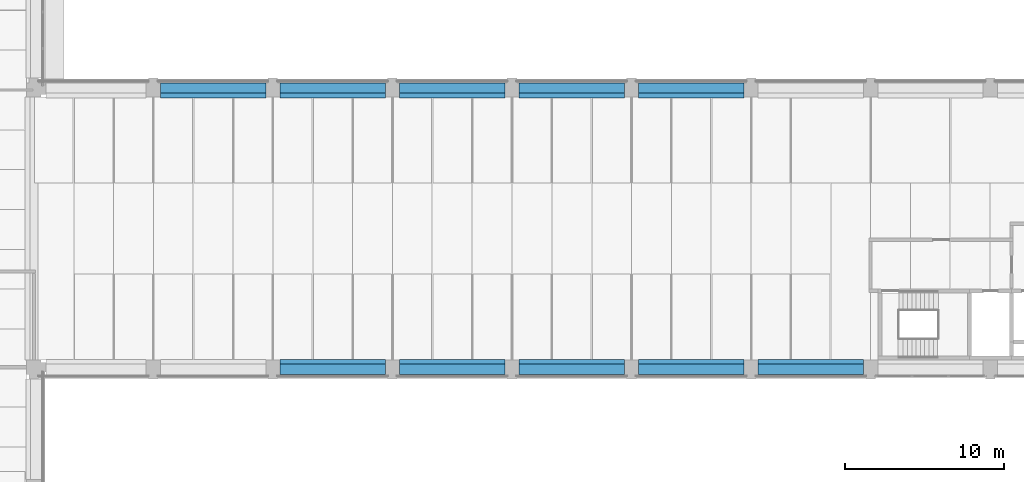
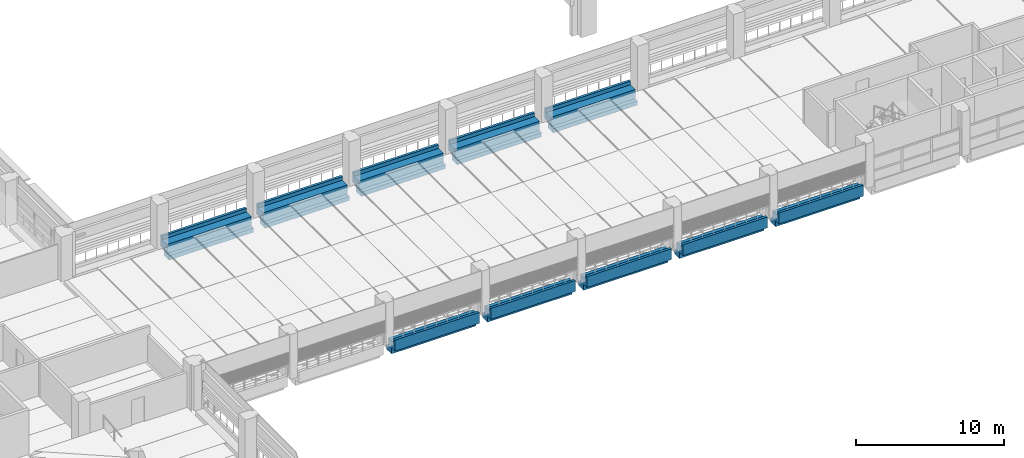
# One storey, part 6 of 57: 10 beams.
"""IFC4 building model written with IfcOpenShell, lengths in metres."""

from ifc_helpers import new_model, si_unit, direction, frame, origin, place, context, subcontext, project, spatial, polyline, outline, extrude, material, material_profile, profile_set, type_object, element, save


model = new_model("IFC4")

# Units and contexts
model_context = context("Model", 3, precision=1e-05, world=origin(), true_north=direction((0.0, 1.0)))
body_context = subcontext(model_context, "Body", "Model", "MODEL_VIEW")
ifc_project = project(units=[si_unit("LENGTHUNIT", "METRE"), si_unit("AREAUNIT", "SQUARE_METRE"), si_unit("VOLUMEUNIT", "CUBIC_METRE"), si_unit("PLANEANGLEUNIT", "RADIAN"), si_unit("MASSUNIT", "GRAM", prefix="KILO")], contexts=[model_context])

# Site, building, storey
site_placement = place(None, origin())
site = spatial("IfcSite", under=ifc_project, at=site_placement, CompositionType="ELEMENT")
building_placement = place(site_placement, origin())
building = spatial("IfcBuilding", under=site, at=building_placement, Name="Cour d'Honneur Mobility Palace", CompositionType="ELEMENT")
storey_placement = place(building_placement, frame((0.0, 0.0, 8.199951171875)))
storey = spatial("IfcBuildingStorey", under=building, at=storey_placement, Name="L02", CompositionType="ELEMENT", Elevation=8.199951171875)

# Beams
ifc_material_1 = material(Name="Concrete C45", Category="concrete")
ifc_material_profile_1 = material_profile(ifc_material_1, outline(polyline([(0.5, -1.10009765625), (0.5, -0.75), (0.199951171875, -0.75), (0.199951171875, 0.0), (-0.199951171875, 0.0), (-0.449951171875, 0.0), (-0.449951171875, 0.300048828125), (-0.64990234375, 0.300048828125), (-0.64990234375, -0.60009765625), (-0.199951171875, -0.60009765625), (-0.199951171875, -1.10009765625), (0.5, -1.10009765625)])), Name="Ledger Beam 400x1100 ledge left 350 facade right")
ifc_profile_set_1 = profile_set([ifc_material_profile_1], Name="Concrete C45")
beam_type_1 = type_object("IfcBeamType", Name="Ledger Beam 400x1100 ledge left 350 facade right", PredefinedType="BEAM", material=ifc_profile_set_1)
for number, where, z_axis, x_axis, name in (
    (1, (32.85009765625, 45.0, 0.0), (1.0, 0.0, 0.0), (0.0, 1.0, 0.0), "Precast beam B2 4-5 L02"),
    (2, (40.35009765625, 45.0, 0.0), (1.0, 0.0, 0.0), (0.0, 1.0, 0.0), "Precast beam B2 5-6 L02"),
    (3, (47.85009765625, 45.0, 0.0), (1.0, 0.0, 0.0), (0.0, 1.0, 0.0), "Precast beam B2 6-7 L02"),
    (4, (55.35009765625, 45.0, 0.0), (1.0, 0.0, 0.0), (0.0, 1.0, 0.0), "Precast beam B2 7-8 L02"),
    (5, (62.85009765625, 45.0, 0.0), (1.0, 0.0, 0.0), (0.0, 1.0, 0.0), "Precast beam B2 8-9 L02"),
):
    element("IfcBeam", number, at=place(storey_placement, frame(where, z_axis=z_axis, x_axis=x_axis)), inside=storey, type_object=beam_type_1, Name=name, PredefinedType="BEAM", context=body_context, shape_type="SweptSolid", body=[
        extrude(outline(polyline([(0.5, -1.10009765625), (0.5, -0.75), (0.199951171875, -0.75), (0.199951171875, 0.0), (-0.199951171875, 0.0), (-0.449951171875, 0.0), (-0.449951171875, 0.300048828125), (-0.64990234375, 0.300048828125), (-0.64990234375, -0.60009765625), (-0.199951171875, -0.60009765625), (-0.199951171875, -1.10009765625), (0.5, -1.10009765625)])), origin(), (0.0, 0.0, 1.0), 6.599853515625),
    ])
ifc_material_2 = material(Name="Concrete C45", Category="concrete")
ifc_material_profile_2 = material_profile(ifc_material_2, outline(polyline([(0.199951171875, -1.10009765625), (0.199951171875, -0.60009765625), (0.64990234375, -0.60009765625), (0.64990234375, 0.300048828125), (0.449951171875, 0.300048828125), (0.449951171875, 0.0), (0.199951171875, 0.0), (-0.199951171875, 0.0), (-0.199951171875, -0.75), (-0.5, -0.75), (-0.5, -1.10009765625), (0.199951171875, -1.10009765625)])), Name="Ledger Beam 400x1100 ledge right 350 facade left")
ifc_profile_set_2 = profile_set([ifc_material_profile_2], Name="Concrete C45")
beam_type_2 = type_object("IfcBeamType", Name="Ledger Beam 400x1100 ledge right 350 facade left", PredefinedType="BEAM", material=ifc_profile_set_2)
for number, where, z_axis, x_axis, name in (
    (6, (25.35009765625, 62.39990234375, 0.0), (1.0, 0.0, 0.0), (0.0, 1.0, 0.0), "Precast beam B4 3-4 L02"),
    (7, (32.85009765625, 62.39990234375, 0.0), (1.0, 0.0, 0.0), (0.0, 1.0, 0.0), "Precast beam B4 4-5 L02"),
    (8, (40.35009765625, 62.39990234375, 0.0), (1.0, 0.0, 0.0), (0.0, 1.0, 0.0), "Precast beam B4 5-6 L02"),
    (9, (47.85009765625, 62.39990234375, 0.0), (1.0, 0.0, 0.0), (0.0, 1.0, 0.0), "Precast beam B4 6-7 L02"),
    (10, (55.35009765625, 62.39990234375, 0.0), (1.0, 0.0, 0.0), (0.0, 1.0, 0.0), "Precast beam B4 7-8 L02"),
):
    element("IfcBeam", number, at=place(storey_placement, frame(where, z_axis=z_axis, x_axis=x_axis)), inside=storey, type_object=beam_type_2, Name=name, PredefinedType="BEAM", context=body_context, shape_type="SweptSolid", body=[
        extrude(outline(polyline([(0.199951171875, -1.10009765625), (0.199951171875, -0.60009765625), (0.64990234375, -0.60009765625), (0.64990234375, 0.300048828125), (0.449951171875, 0.300048828125), (0.449951171875, 0.0), (0.199951171875, 0.0), (-0.199951171875, 0.0), (-0.199951171875, -0.75), (-0.5, -0.75), (-0.5, -1.10009765625), (0.199951171875, -1.10009765625)])), origin(), (0.0, 0.0, 1.0), 6.599853515625),
    ])

save(model, "model.ifc")
